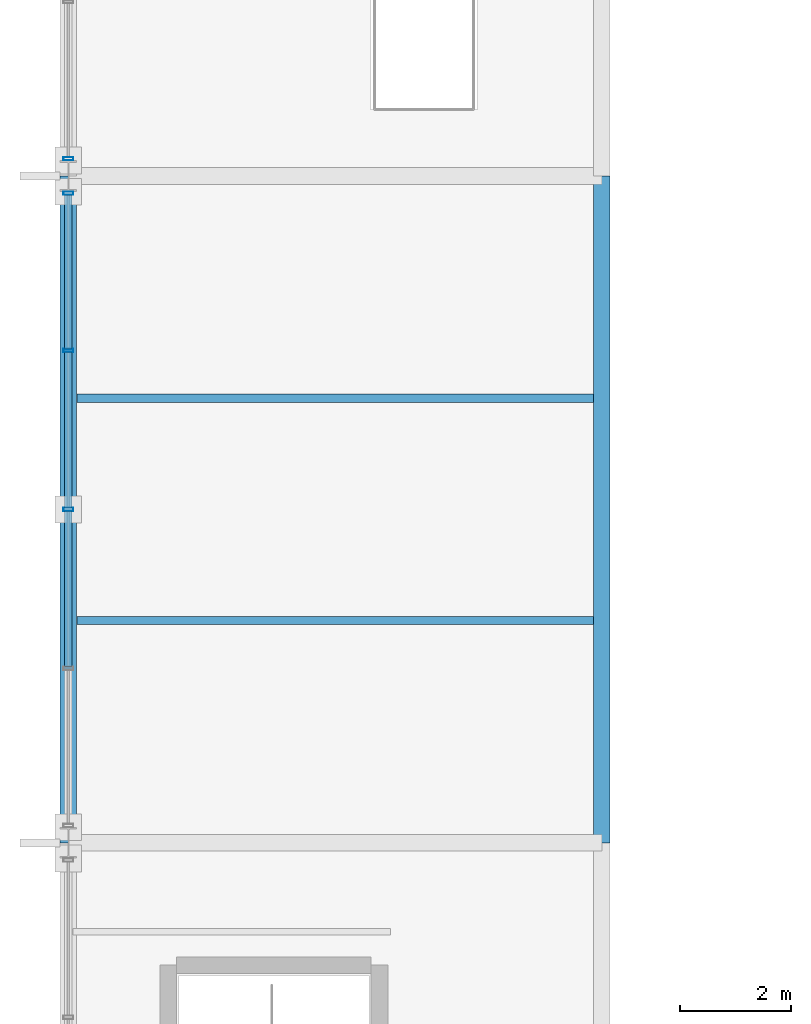
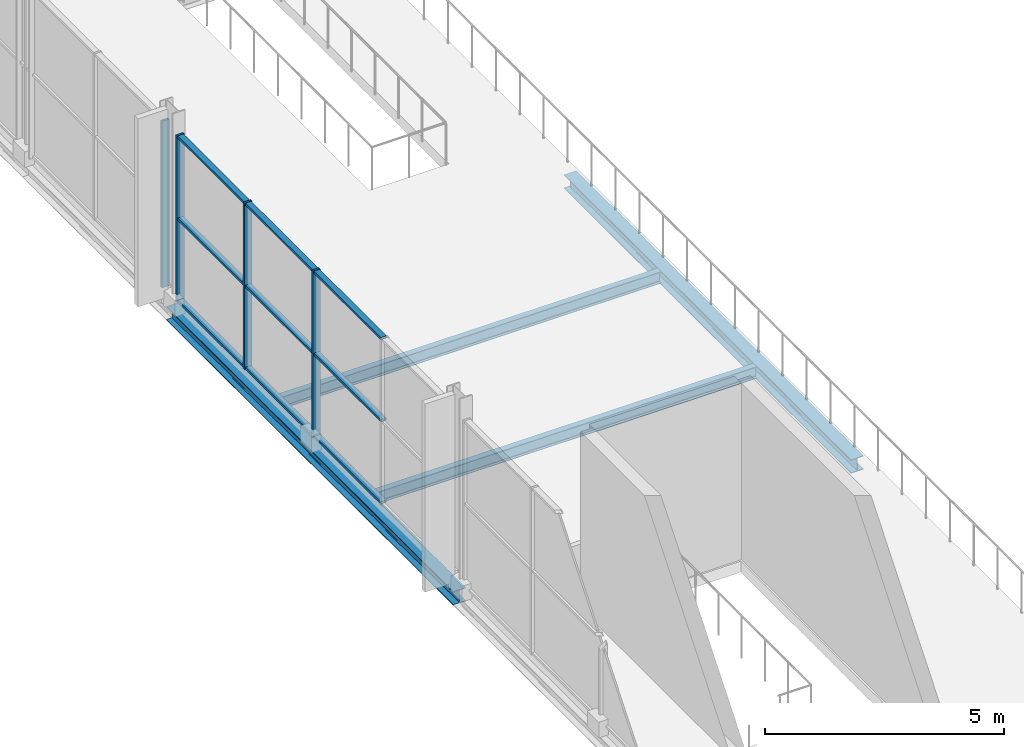
# One storey, part 33 of 159: 13 members, 4 beams, 2 elements without a shape of their own.
"""IFC4 building model written with IfcOpenShell, lengths in metres."""

from ifc_helpers import new_model, si_unit, direction, frame, origin, origin_2d, place, context, subcontext, project, spatial, hollow_rectangle, i_section, extrude, material, material_profile, profile_set, type_object, element, aggregate, save


model = new_model("IFC4")

# Units and contexts
model_context = context("Model", 3, precision=1e-05, world=origin(), true_north=direction((0.0, 1.0)))
body_context = subcontext(model_context, "Body", "Model", "MODEL_VIEW")
ifc_project = project(units=[si_unit("LENGTHUNIT", "METRE"), si_unit("AREAUNIT", "SQUARE_METRE"), si_unit("VOLUMEUNIT", "CUBIC_METRE"), si_unit("PLANEANGLEUNIT", "RADIAN"), si_unit("MASSUNIT", "GRAM", prefix="KILO")], contexts=[model_context])

# Site, building, storey
site_placement = place(None, origin())
site = spatial("IfcSite", under=ifc_project, at=site_placement, CompositionType="ELEMENT")
building_placement = place(site_placement, origin())
building = spatial("IfcBuilding", under=site, at=building_placement, Name="Merenkruunu Market Hall", CompositionType="ELEMENT")
storey_placement = place(building_placement, frame((0.0, 0.0, 5.39990234375)))
storey = spatial("IfcBuildingStorey", under=building, at=storey_placement, Name="L01", CompositionType="ELEMENT", Elevation=5.39990234375)

# Curtain wall, members
ifc_material_1 = material(Name="Powder-coated aluminium", Category="aluminium")
curtain_wall_type = type_object("IfcCurtainWallType", Name="Glazed Curtain Wall CW02", PredefinedType="USERDEFINED", material=ifc_material_1)
curtain_wall_1_placement = place(storey_placement, origin())
curtain_wall_1 = element("IfcCurtainWall", 1, at=curtain_wall_1_placement, inside=storey, type_object=curtain_wall_type, Name="CW-L01-CWM02-005", ObjectType="GLAZED_FACADE", PredefinedType="USERDEFINED")
ifc_material_profile_1 = material_profile(ifc_material_1, hollow_rectangle(XDim=0.06005859375, YDim=0.179931640625, WallThickness=0.00390625, at=origin_2d()), Name="ALU 60x180x4")
ifc_profile_set_1 = profile_set([ifc_material_profile_1], Name="Powder-coated aluminium")
member_type_1 = type_object("IfcMemberType", Name="Curtain Wall Mullion CWM02", PredefinedType="MULLION", material=ifc_profile_set_1)
member_1_placement = place(storey_placement, frame((0.0, 33.60009765625, 0.0), z_axis=(0.0, 0.0, 1.0), x_axis=(0.0, 1.0, 0.0)))
member_1 = element("IfcMember", 2, at=member_1_placement, type_object=member_type_1, Name="CW02 mullion 3", PredefinedType="MULLION", context=body_context, shape_type="SweptSolid", body=[
    extrude(hollow_rectangle(XDim=0.06005859375, YDim=0.179931640625, WallThickness=0.00390625, at=origin_2d()), origin(), (0.0, 0.0, 1.0), 4.25),
])
member_2_placement = place(storey_placement, frame((0.0, 36.4599609375, 0.0), z_axis=(0.0, 0.0, 1.0), x_axis=(0.0, 1.0, 0.0)))
member_2 = element("IfcMember", 3, at=member_2_placement, type_object=member_type_1, Name="CW02 mullion 4", PredefinedType="MULLION", context=body_context, shape_type="SweptSolid", body=[
    extrude(hollow_rectangle(XDim=0.06005859375, YDim=0.179931640625, WallThickness=0.00390625, at=origin_2d()), origin(), (0.0, 0.0, 1.0), 4.25),
])
member_3_placement = place(storey_placement, frame((0.0, 39.2900390625, 0.0), z_axis=(0.0, 0.0, 1.0), x_axis=(0.0, 1.0, 0.0)))
member_3 = element("IfcMember", 4, at=member_3_placement, type_object=member_type_1, Name="CW02 mullion 5", PredefinedType="MULLION", context=body_context, shape_type="SweptSolid", body=[
    extrude(hollow_rectangle(XDim=0.06005859375, YDim=0.179931640625, WallThickness=0.00390625, at=origin_2d()), origin(), (0.0, 0.0, 1.0), 4.25),
])

# Curtain wall, member
curtain_wall_2_placement = place(storey_placement, origin())
curtain_wall_2 = element("IfcCurtainWall", 5, at=curtain_wall_2_placement, inside=storey, type_object=curtain_wall_type, Name="CW-L01-CWM02-008", ObjectType="GLAZED_FACADE", PredefinedType="USERDEFINED")
member_4_placement = place(storey_placement, frame((0.0, 39.909912109375, 0.0), z_axis=(0.0, 0.0, 1.0), x_axis=(0.0, 1.0, 0.0)))
member_4 = element("IfcMember", 6, at=member_4_placement, type_object=member_type_1, Name="CW02 mullion 1", PredefinedType="MULLION", context=body_context, shape_type="SweptSolid", body=[
    extrude(hollow_rectangle(XDim=0.06005859375, YDim=0.179931640625, WallThickness=0.00390625, at=origin_2d()), origin(), (0.0, 0.0, 1.0), 4.25),
])
aggregate(curtain_wall_2, [member_4])

# Member
ifc_material_profile_2 = material_profile(ifc_material_1, hollow_rectangle(XDim=0.06005859375, YDim=0.139892578125, WallThickness=0.00390625, at=origin_2d()), Name="ALU 60x140x4")
ifc_profile_set_2 = profile_set([ifc_material_profile_2], Name="Powder-coated aluminium")
member_type_2 = type_object("IfcMemberType", Name="Curtain Wall Transom CWT02", PredefinedType="USERDEFINED", material=ifc_profile_set_2)
member_5_placement = place(storey_placement, frame((0.0, 30.77001953125, 0.030029296875), z_axis=(0.0, 1.0, 0.0), x_axis=(0.0, 0.0, 1.0)))
member_5 = element("IfcMember", 7, at=member_5_placement, type_object=member_type_2, Name="CW02 transom 2.1", ObjectType="TRANSOM", PredefinedType="USERDEFINED", context=body_context, shape_type="SweptSolid", body=[
    extrude(hollow_rectangle(XDim=0.06005859375, YDim=0.139892578125, WallThickness=0.00390625, at=origin_2d()), origin(), (0.0, 0.0, 1.0), 2.800048828125),
])

member_6_placement = place(storey_placement, frame((0.0, 30.77001953125, 2.125), z_axis=(0.0, 1.0, 0.0), x_axis=(0.0, 0.0, 1.0)))
member_6 = element("IfcMember", 8, at=member_6_placement, type_object=member_type_2, Name="CW02 transom 2.2", ObjectType="TRANSOM", PredefinedType="USERDEFINED", context=body_context, shape_type="SweptSolid", body=[
    extrude(hollow_rectangle(XDim=0.06005859375, YDim=0.139892578125, WallThickness=0.00390625, at=origin_2d()), origin(), (0.0, 0.0, 1.0), 2.800048828125),
])

member_7_placement = place(storey_placement, frame((0.0, 30.77001953125, 4.22021484375), z_axis=(0.0, 1.0, 0.0), x_axis=(0.0, 0.0, 1.0)))
member_7 = element("IfcMember", 9, at=member_7_placement, type_object=member_type_2, Name="CW02 transom 2.3", ObjectType="TRANSOM", PredefinedType="USERDEFINED", context=body_context, shape_type="SweptSolid", body=[
    extrude(hollow_rectangle(XDim=0.06005859375, YDim=0.139892578125, WallThickness=0.00390625, at=origin_2d()), origin(), (0.0, 0.0, 1.0), 2.800048828125),
])

member_8_placement = place(storey_placement, frame((0.0, 33.6298828125, 0.030029296875), z_axis=(0.0, 1.0, 0.0), x_axis=(0.0, 0.0, 1.0)))
member_8 = element("IfcMember", 10, at=member_8_placement, type_object=member_type_2, Name="CW02 transom 3.1", ObjectType="TRANSOM", PredefinedType="USERDEFINED", context=body_context, shape_type="SweptSolid", body=[
    extrude(hollow_rectangle(XDim=0.06005859375, YDim=0.139892578125, WallThickness=0.00390625, at=origin_2d()), origin(), (0.0, 0.0, 1.0), 2.800048828125),
])

member_9_placement = place(storey_placement, frame((0.0, 33.6298828125, 2.125), z_axis=(0.0, 1.0, 0.0), x_axis=(0.0, 0.0, 1.0)))
member_9 = element("IfcMember", 11, at=member_9_placement, type_object=member_type_2, Name="CW02 transom 3.2", ObjectType="TRANSOM", PredefinedType="USERDEFINED", context=body_context, shape_type="SweptSolid", body=[
    extrude(hollow_rectangle(XDim=0.06005859375, YDim=0.139892578125, WallThickness=0.00390625, at=origin_2d()), origin(), (0.0, 0.0, 1.0), 2.800048828125),
])

member_10_placement = place(storey_placement, frame((0.0, 33.6298828125, 4.22021484375), z_axis=(0.0, 1.0, 0.0), x_axis=(0.0, 0.0, 1.0)))
member_10 = element("IfcMember", 12, at=member_10_placement, type_object=member_type_2, Name="CW02 transom 3.3", ObjectType="TRANSOM", PredefinedType="USERDEFINED", context=body_context, shape_type="SweptSolid", body=[
    extrude(hollow_rectangle(XDim=0.06005859375, YDim=0.139892578125, WallThickness=0.00390625, at=origin_2d()), origin(), (0.0, 0.0, 1.0), 2.800048828125),
])

member_11_placement = place(storey_placement, frame((0.0, 36.489990234375, 0.030029296875), z_axis=(0.0, 1.0, 0.0), x_axis=(0.0, 0.0, 1.0)))
member_11 = element("IfcMember", 13, at=member_11_placement, type_object=member_type_2, Name="CW02 transom 4.1", ObjectType="TRANSOM", PredefinedType="USERDEFINED", context=body_context, shape_type="SweptSolid", body=[
    extrude(hollow_rectangle(XDim=0.06005859375, YDim=0.139892578125, WallThickness=0.00390625, at=origin_2d()), origin(), (0.0, 0.0, 1.0), 2.77001953125),
])

member_12_placement = place(storey_placement, frame((0.0, 36.489990234375, 2.125), z_axis=(0.0, 1.0, 0.0), x_axis=(0.0, 0.0, 1.0)))
member_12 = element("IfcMember", 14, at=member_12_placement, type_object=member_type_2, Name="CW02 transom 4.2", ObjectType="TRANSOM", PredefinedType="USERDEFINED", context=body_context, shape_type="SweptSolid", body=[
    extrude(hollow_rectangle(XDim=0.06005859375, YDim=0.139892578125, WallThickness=0.00390625, at=origin_2d()), origin(), (0.0, 0.0, 1.0), 2.77001953125),
])

member_13_placement = place(storey_placement, frame((0.0, 36.489990234375, 4.22021484375), z_axis=(0.0, 1.0, 0.0), x_axis=(0.0, 0.0, 1.0)))
member_13 = element("IfcMember", 15, at=member_13_placement, type_object=member_type_2, Name="CW02 transom 4.3", ObjectType="TRANSOM", PredefinedType="USERDEFINED", context=body_context, shape_type="SweptSolid", body=[
    extrude(hollow_rectangle(XDim=0.06005859375, YDim=0.139892578125, WallThickness=0.00390625, at=origin_2d()), origin(), (0.0, 0.0, 1.0), 2.77001953125),
])

aggregate(curtain_wall_1, [member_1, member_2, member_3, member_5, member_6, member_7, member_8, member_9, member_10, member_11, member_12, member_13])

# Beams
ifc_material_2 = material(Name="Steel S355J2", Category="steel")
ifc_material_profile_3 = material_profile(ifc_material_2, i_section(OverallWidth=0.300048828125, OverallDepth=0.35009765625, WebThickness=0.010009765625, FlangeThickness=0.017578125, FilletRadius=0.027099609375, at=origin_2d()), Name="HEA 360")
ifc_profile_set_3 = profile_set([ifc_material_profile_3], Name="Steel S355J2")
beam_type_1 = type_object("IfcBeamType", Name="Primary Floor Girder B08", PredefinedType="BEAM", material=ifc_profile_set_3)
for number, where, z_axis, x_axis, name in (
    (16, (0.0, 27.60009765625, -0.454833984375), (0.0, 1.0, 0.0), (-1.0, 0.0, 0.0), "BM-L01-B08-0552"),
    (17, (9.60009765625, 27.60009765625, -0.454833984375), (0.0, 1.0, 0.0), (-1.0, 0.0, 0.0), "BM-L01-B08-0560"),
):
    element("IfcBeam", number, at=place(storey_placement, frame(where, z_axis=z_axis, x_axis=x_axis)), inside=storey, type_object=beam_type_1, Name=name, PredefinedType="BEAM", context=body_context, shape_type="SweptSolid", body=[
        extrude(i_section(OverallWidth=0.300048828125, OverallDepth=0.35009765625, WebThickness=0.010009765625, FlangeThickness=0.017578125, FilletRadius=0.027099609375, at=origin_2d()), origin(), (0.0, 0.0, 1.0), 12.0),
    ])
ifc_material_profile_4 = material_profile(ifc_material_2, i_section(OverallWidth=0.14990234375, OverallDepth=0.300048828125, WebThickness=0.007080078125, FlangeThickness=0.0107421875, FilletRadius=0.014892578125, at=origin_2d()), Name="IPE 300")
ifc_profile_set_4 = profile_set([ifc_material_profile_4], Name="Steel S355J2")
beam_type_2 = type_object("IfcBeamType", Name="Secondary Floor Joist J04", PredefinedType="JOIST", material=ifc_profile_set_4)
for number, where, z_axis, x_axis, name in (
    (18, (0.153076171875, 31.60009765625, -0.429931640625), (1.0, 0.0, 0.0), (0.0, 1.0, 0.0), "BM-L01-J04-0650"),
    (19, (0.153076171875, 35.60009765625, -0.429931640625), (1.0, 0.0, 0.0), (0.0, 1.0, 0.0), "BM-L01-J04-0651"),
):
    element("IfcBeam", number, at=place(storey_placement, frame(where, z_axis=z_axis, x_axis=x_axis)), inside=storey, type_object=beam_type_2, Name=name, PredefinedType="JOIST", context=body_context, shape_type="SweptSolid", body=[
        extrude(i_section(OverallWidth=0.14990234375, OverallDepth=0.300048828125, WebThickness=0.007080078125, FlangeThickness=0.0107421875, FilletRadius=0.014892578125, at=origin_2d()), origin(), (0.0, 0.0, 1.0), 9.2939453125),
    ])

save(model, "model.ifc")
